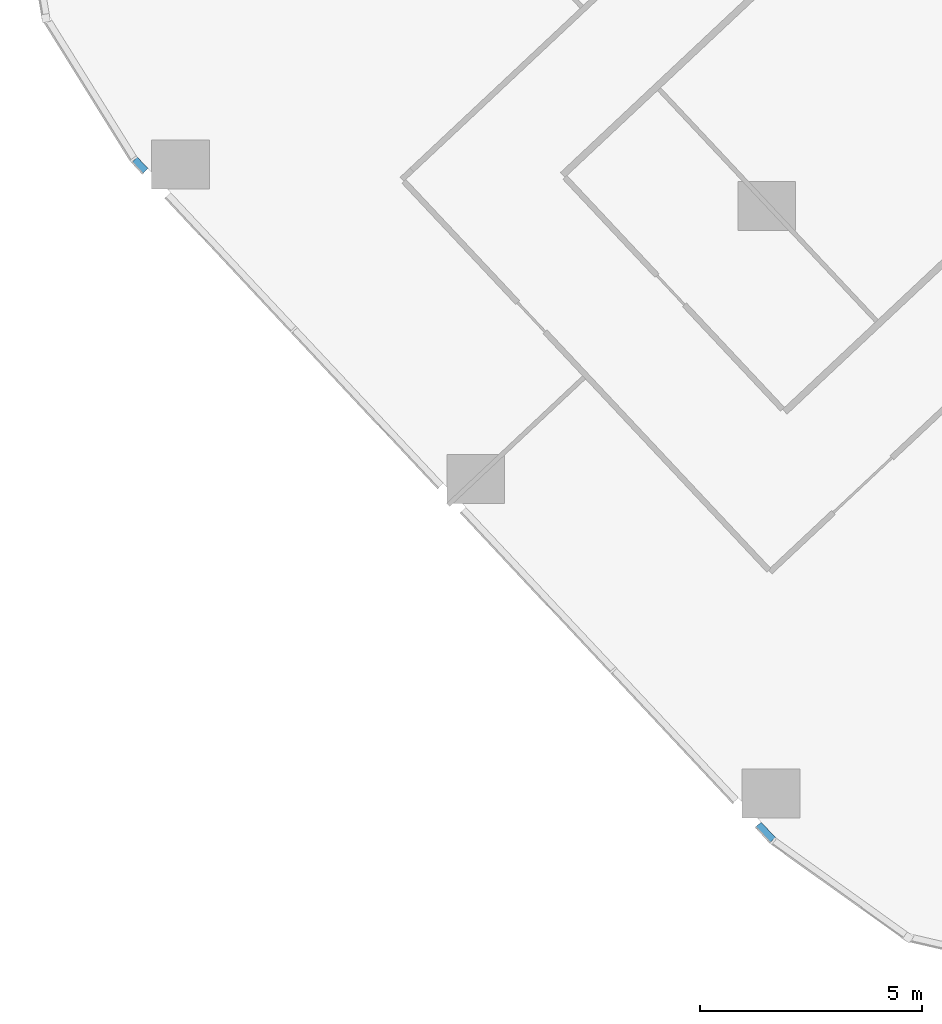
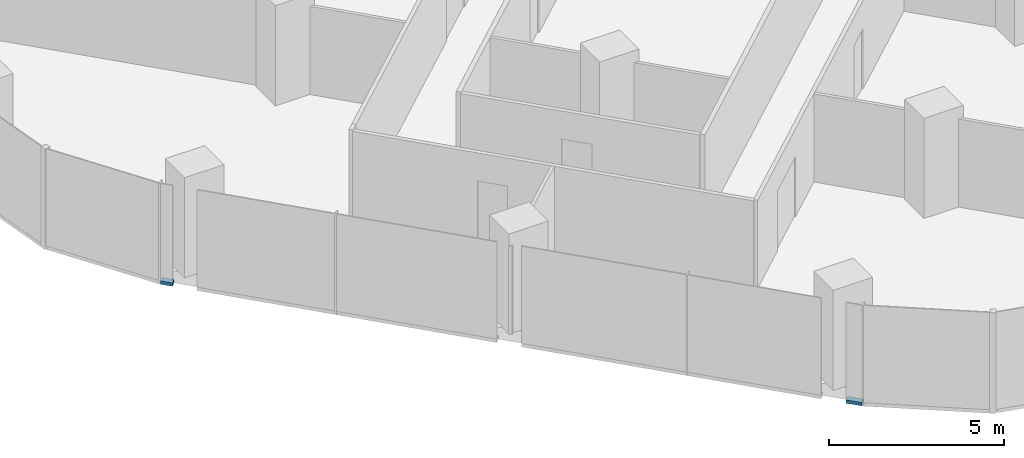
# One storey, part 15 of 33: 2 members, 1 element without a shape of its own.
"""IFC4 building model written with IfcOpenShell, lengths in metres."""

from ifc_helpers import new_model, si_unit, direction, frame, origin, origin_2d, place, context, subcontext, project, spatial, rectangle, extrude, material, material_profile, profile_set, type_object, element, aggregate, save


model = new_model("IFC4")

# Units and contexts
model_context = context("Model", 3, precision=1e-05, world=origin(), true_north=direction((0.0, 1.0)))
body_context = subcontext(model_context, "Body", "Model", "MODEL_VIEW")
ifc_project = project(units=[si_unit("LENGTHUNIT", "METRE"), si_unit("AREAUNIT", "SQUARE_METRE"), si_unit("VOLUMEUNIT", "CUBIC_METRE"), si_unit("PLANEANGLEUNIT", "RADIAN"), si_unit("MASSUNIT", "GRAM", prefix="KILO")], contexts=[model_context])

# Site, building, storey
site_placement = place(None, origin())
site = spatial("IfcSite", under=ifc_project, at=site_placement, CompositionType="ELEMENT")
building_placement = place(site_placement, origin())
building = spatial("IfcBuilding", under=site, at=building_placement, Name="Orlundy Tower", CompositionType="ELEMENT")
storey_placement = place(building_placement, frame((0.0, 0.0, 51.300048828125)))
storey = spatial("IfcBuildingStorey", under=building, at=storey_placement, Name="L11", CompositionType="ELEMENT", Elevation=51.300048828125)

# Curtain wall, members
ifc_material_1 = material(Name="Aluminium bronze anodised", Category="aluminium")
curtain_wall_type = type_object("IfcCurtainWallType", Name="CW1 wall", PredefinedType="NOTDEFINED", material=ifc_material_1)
curtain_wall_placement = place(storey_placement, origin())
curtain_wall = element("IfcCurtainWall", 1, at=curtain_wall_placement, inside=storey, type_object=curtain_wall_type, Name="CW1 run 023", PredefinedType="NOTDEFINED")
ifc_material_2 = material(Name="Aluminium bronze anodised", Category="aluminium")
ifc_material_profile = material_profile(ifc_material_2, rectangle(XDim=0.179931640625, YDim=0.1201171875, at=origin_2d()), Name="CW1 transom 180x120")
ifc_profile_set = profile_set([ifc_material_profile], Name="Aluminium bronze anodised")
member_type = type_object("IfcMemberType", Name="CW1 transom 180x120", PredefinedType="USERDEFINED", material=ifc_profile_set)
member_1_placement = place(storey_placement, frame((-37.019775390625, -49.09765625, -0.360107421875), z_axis=(-0.683941128881, 0.72953720414, 0.0), x_axis=(-0.72953720414, -0.683941128881, 0.0)))
member_1 = element("IfcMember", 2, at=member_1_placement, type_object=member_type, Name="CW1 transom", ObjectType="TRANSOM", PredefinedType="USERDEFINED", context=body_context, shape_type="SweptSolid", body=[
    extrude(rectangle(XDim=0.179931640625, YDim=0.1201171875, at=origin_2d()), origin(), (0.0, 0.0, 1.0), 0.47119140625),
])
member_2_placement = place(storey_placement, frame((-51.125, -34.059814453125, -0.360107421875), z_axis=(-0.684080292396, 0.729406713401, 0.0), x_axis=(-0.729406713401, -0.684080292396, 0.0)))
member_2 = element("IfcMember", 3, at=member_2_placement, type_object=member_type, Name="CW1 transom", ObjectType="TRANSOM", PredefinedType="USERDEFINED", context=body_context, shape_type="SweptSolid", body=[
    extrude(rectangle(XDim=0.179931640625, YDim=0.1201171875, at=origin_2d()), origin(), (0.0, 0.0, 1.0), 0.35009765625),
])
aggregate(curtain_wall, [member_1, member_2])

save(model, "model.ifc")
